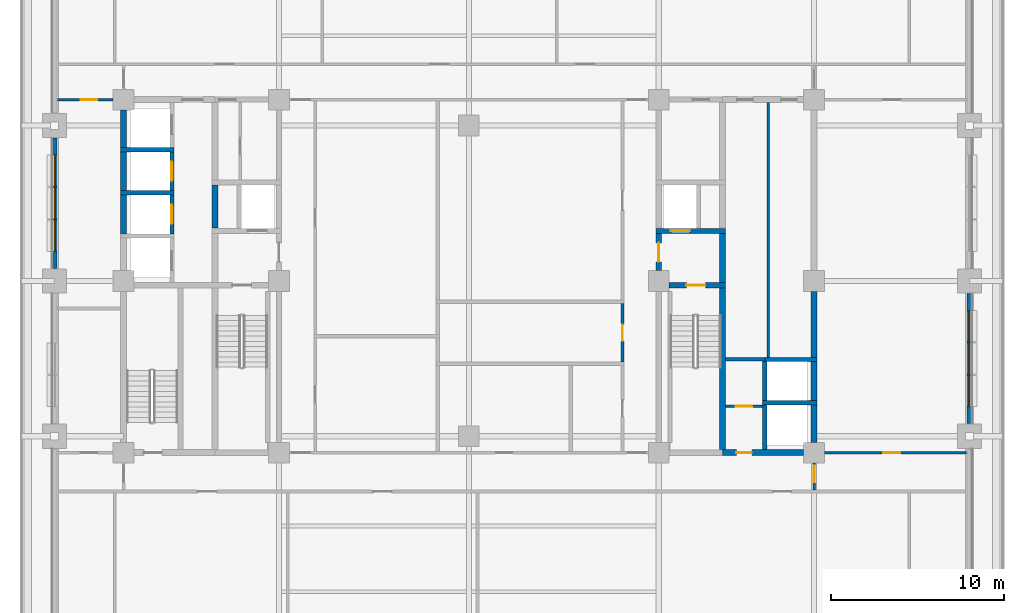
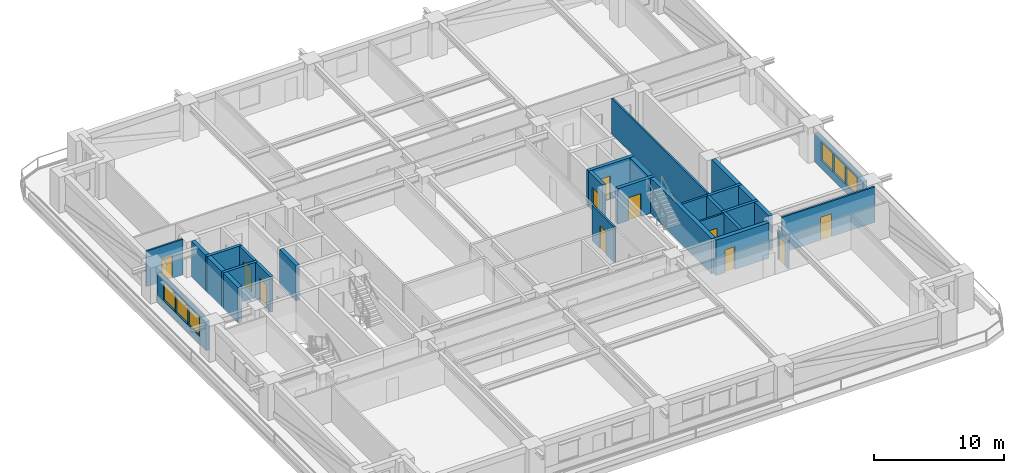
# One storey, part 4 of 13: 30 walls, 11 doors, 6 windows, 17 openings.
"""IFC4 building model written with IfcOpenShell, lengths in metres."""

from ifc_helpers import new_model, si_unit, direction, frame, frame_2d, origin, place, context, subcontext, project, spatial, rectangle, extrude, material, layer, layer_set, type_object, element, fill, save


model = new_model("IFC4")

# Units and contexts
model_context = context("Model", 3, precision=1e-05, world=origin(), true_north=direction((0.0, 1.0)))
body_context = subcontext(model_context, "Body", "Model", "MODEL_VIEW")
ifc_project = project(units=[si_unit("LENGTHUNIT", "METRE"), si_unit("AREAUNIT", "SQUARE_METRE"), si_unit("VOLUMEUNIT", "CUBIC_METRE"), si_unit("PLANEANGLEUNIT", "RADIAN"), si_unit("MASSUNIT", "GRAM", prefix="KILO")], contexts=[model_context])

# Site, building, storey
site_placement = place(None, origin())
site = spatial("IfcSite", under=ifc_project, at=site_placement, CompositionType="ELEMENT")
building_placement = place(site_placement, origin())
building = spatial("IfcBuilding", under=site, at=building_placement, Name="Zulmaris Gate Convention Tower", CompositionType="ELEMENT")
storey_placement = place(building_placement, frame((0.0, 0.0, 34.340087890625)))
storey = spatial("IfcBuildingStorey", under=building, at=storey_placement, Name="L07", CompositionType="ELEMENT", Elevation=34.340087890625)

# Walls
ifc_material_1 = material(Name="Concrete C50/60", Category="concrete")
ifc_layer_1 = layer(ifc_material_1, 0.25, Name="Concrete C50/60")
ifc_layer_set_1 = layer_set([ifc_layer_1], Name="Concrete C50/60")
wall_type_1 = type_object("IfcWallType", Name="CORE-250", PredefinedType="SOLIDWALL", material=ifc_layer_set_1)
for number, where, z_axis, x_axis, name in (
    (1, (17.02490234375, -7.050048828125, 0.0), (0.0, 0.0, 1.0), (1.0, 0.0, 0.0), "WL-L07-005"),
    (2, (17.02490234375, -4.550048828125, 0.0), (0.0, 0.0, 1.0), (1.0, 0.0, 0.0), "WL-L07-006"),
):
    element("IfcWall", number, at=place(storey_placement, frame(where, z_axis=z_axis, x_axis=x_axis)), inside=storey, type_object=wall_type_1, Name=name, PredefinedType="SOLIDWALL", context=body_context, shape_type="SweptSolid", body=[
        extrude(rectangle(XDim=3.150146484375, YDim=0.25, at=frame_2d((1.5751953125, 0.0))), origin(), (0.0, 0.0, 1.0), 3.31982421875),
    ])
for number, where, z_axis, x_axis, name in (
    (3, (-20.175048828125, 5.10009765625, 0.0), (0.0, 0.0, 1.0), (1.0, 0.0, 0.0), "WL-L07-012"),
    (4, (-20.175048828125, 7.60009765625, 0.0), (0.0, 0.0, 1.0), (1.0, 0.0, 0.0), "WL-L07-015"),
):
    element("IfcWall", number, at=place(storey_placement, frame(where, z_axis=z_axis, x_axis=x_axis)), inside=storey, type_object=wall_type_1, Name=name, PredefinedType="SOLIDWALL", context=body_context, shape_type="SweptSolid", body=[
        extrude(rectangle(XDim=3.10009765625, YDim=0.25, at=frame_2d((1.550048828125, 0.0))), origin(), (0.0, 0.0, 1.0), 3.31982421875),
    ])

# Wall, opening, door
wall_1_placement = place(storey_placement, frame((-17.199951171875, 2.72705078125, 0.0), z_axis=(0.0, 0.0, 1.0), x_axis=(0.0, 1.0, 0.0)))
wall_1 = element("IfcWall", 5, at=wall_1_placement, inside=storey, type_object=wall_type_1, Name="WL-L07-040", PredefinedType="SOLIDWALL", context=body_context, shape_type="SweptSolid", body=[
    extrude(rectangle(XDim=2.245849609375, YDim=0.25, at=frame_2d((1.123046875, 0.0))), origin(), (0.0, 0.0, 1.0), 3.31982421875),
])
opening_1_placement = place(wall_1_placement, frame((0.572998046875, 0.0, 0.0)))
opening_1 = element("IfcOpeningElement", 6, at=opening_1_placement, cuts=wall_1, Name="Opening D-06", PredefinedType="OPENING", context=body_context, shape_type="SweptSolid", body=[
    extrude(rectangle(XDim=1.10009765625, YDim=2.199951171875, at=frame_2d((0.550048828125, 1.10009765625))), frame((0.0, 0.135009765625, 0.0), z_axis=(0.0, -1.0, 0.0), x_axis=(1.0, 0.0, 0.0)), (0.0, 0.0, 1.0), 0.27001953125),
])
ifc_material_2 = material(Name="Brushed Stainless Steel", Category="steel")
door_type_1 = type_object("IfcDoorType", Name="LD-1100", OperationType="NOTDEFINED", PredefinedType="DOOR", material=ifc_material_2)
door_1_placement = place(opening_1_placement, origin())
door_1 = element("IfcDoor", 7, at=door_1_placement, inside=storey, type_object=door_type_1, Name="L07 Lift Landing Door LP-02 13", OperationType="SLIDING_TO_LEFT", OverallHeight=2.199951171875, OverallWidth=1.10009765625, PredefinedType="DOOR", context=body_context, shape_type="SweptSolid", body=[
    extrude(rectangle(XDim=1.10009765625, YDim=2.199951171875, at=frame_2d((0.550048828125, 1.10009765625))), frame((0.0, 0.02490234375, 0.0), z_axis=(0.0, -1.0, 0.0), x_axis=(1.0, 0.0, 0.0)), (0.0, 0.0, 1.0), 0.050048828125),
])
fill(opening_1, door_1)

wall_2_placement = place(storey_placement, frame((-17.199951171875, 5.22705078125, 0.0), z_axis=(0.0, 0.0, 1.0), x_axis=(0.0, 1.0, 0.0)))
wall_2 = element("IfcWall", 8, at=wall_2_placement, inside=storey, type_object=wall_type_1, Name="WL-L07-041", PredefinedType="SOLIDWALL", context=body_context, shape_type="SweptSolid", body=[
    extrude(rectangle(XDim=2.245849609375, YDim=0.25, at=frame_2d((1.123046875, 0.0))), origin(), (0.0, 0.0, 1.0), 3.31982421875),
])
opening_2_placement = place(wall_2_placement, frame((0.572998046875, 0.0, 0.0)))
opening_2 = element("IfcOpeningElement", 9, at=opening_2_placement, cuts=wall_2, Name="Opening D-06", PredefinedType="OPENING", context=body_context, shape_type="SweptSolid", body=[
    extrude(rectangle(XDim=1.10009765625, YDim=2.199951171875, at=frame_2d((0.550048828125, 1.10009765625))), frame((0.0, 0.135009765625, 0.0), z_axis=(0.0, -1.0, 0.0), x_axis=(1.0, 0.0, 0.0)), (0.0, 0.0, 1.0), 0.27001953125),
])
door_2_placement = place(opening_2_placement, origin())
door_2 = element("IfcDoor", 10, at=door_2_placement, inside=storey, type_object=door_type_1, Name="L07 Lift Landing Door LP-03 14", OperationType="SLIDING_TO_LEFT", OverallHeight=2.199951171875, OverallWidth=1.10009765625, PredefinedType="DOOR", context=body_context, shape_type="SweptSolid", body=[
    extrude(rectangle(XDim=1.10009765625, YDim=2.199951171875, at=frame_2d((0.550048828125, 1.10009765625))), frame((0.0, 0.02490234375, 0.0), z_axis=(0.0, -1.0, 0.0), x_axis=(1.0, 0.0, 0.0)), (0.0, 0.0, 1.0), 0.050048828125),
])
fill(opening_2, door_2)

# Walls
wall_3_placement = place(storey_placement, frame((17.14990234375, -9.77294921875, 0.0), z_axis=(0.0, 0.0, 1.0), x_axis=(0.0, 1.0, 0.0)))
element("IfcWall", 11, at=wall_3_placement, inside=storey, type_object=wall_type_1, Name="WL-L07-064", PredefinedType="SOLIDWALL", context=body_context, shape_type="SweptSolid", body=[
    extrude(rectangle(XDim=2.595947265625, YDim=0.25, at=frame_2d((1.2978515625, 0.0))), origin(), (0.0, 0.0, 1.0), 3.31982421875),
])
wall_4_placement = place(storey_placement, frame((17.14990234375, -6.923095703125, 0.0), z_axis=(0.0, 0.0, 1.0), x_axis=(0.0, 1.0, 0.0)))
element("IfcWall", 12, at=wall_4_placement, inside=storey, type_object=wall_type_1, Name="WL-L07-065", PredefinedType="SOLIDWALL", context=body_context, shape_type="SweptSolid", body=[
    extrude(rectangle(XDim=2.24609375, YDim=0.25, at=frame_2d((1.123046875, 0.0))), origin(), (0.0, 0.0, 1.0), 3.31982421875),
])

# Wall, opening, door
ifc_layer_2 = layer(ifc_material_1, 0.300048828125, Name="Concrete C50/60")
ifc_layer_set_2 = layer_set([ifc_layer_2], Name="Concrete C50/60")
wall_type_2 = type_object("IfcWallType", Name="CORE-300", PredefinedType="SHEAR", material=ifc_layer_set_2)
wall_5_placement = place(storey_placement, frame((11.60400390625, -0.25, 0.0), z_axis=(0.0, 0.0, 1.0), x_axis=(1.0, 0.0, 0.0)))
wall_5 = element("IfcWall", 13, at=wall_5_placement, inside=storey, type_object=wall_type_2, Name="WL-L07-008", PredefinedType="SHEAR", context=body_context, shape_type="SweptSolid", body=[
    extrude(rectangle(XDim=3.27099609375, YDim=0.300048828125, at=frame_2d((1.635498046875, 0.0))), origin(), (0.0, 0.0, 1.0), 3.31982421875),
])
opening_3_placement = place(wall_5_placement, frame((0.99609375, 0.0, 0.0)))
opening_3 = element("IfcOpeningElement", 14, at=opening_3_placement, cuts=wall_5, Name="Opening D-08", PredefinedType="OPENING", context=body_context, shape_type="SweptSolid", body=[
    extrude(rectangle(XDim=1.10009765625, YDim=2.14990234375, at=frame_2d((0.550048828125, 1.074951171875))), frame((0.0, 0.16015625, 0.0), z_axis=(0.0, -1.0, 0.0), x_axis=(1.0, 0.0, 0.0)), (0.0, 0.0, 1.0), 0.320068359375),
])
ifc_material_3 = material(Name="Fire-Rated Steel", Category="steel")
door_type_2 = type_object("IfcDoorType", Name="DR-1100-FD", OperationType="NOTDEFINED", PredefinedType="DOOR", material=ifc_material_3)
door_3_placement = place(opening_3_placement, origin())
door_3 = element("IfcDoor", 15, at=door_3_placement, inside=storey, type_object=door_type_2, Name="L07 Exit Stair ST-2 Door 04", OperationType="SINGLE_SWING_RIGHT", OverallHeight=2.14990234375, OverallWidth=1.10009765625, PredefinedType="DOOR", context=body_context, shape_type="SweptSolid", body=[
    extrude(rectangle(XDim=1.10009765625, YDim=2.14990234375, at=frame_2d((0.550048828125, 1.074951171875))), frame((0.0, 0.02490234375, 0.0), z_axis=(0.0, -1.0, 0.0), x_axis=(1.0, 0.0, 0.0)), (0.0, 0.0, 1.0), 0.050048828125),
])
fill(opening_3, door_3)

wall_6_placement = place(storey_placement, frame((10.85009765625, 2.89990234375, 0.0), z_axis=(0.0, 0.0, 1.0), x_axis=(1.0, 0.0, 0.0)))
wall_6 = element("IfcWall", 16, at=wall_6_placement, inside=storey, type_object=wall_type_2, Name="WL-L07-011", PredefinedType="SHEAR", context=body_context, shape_type="SweptSolid", body=[
    extrude(rectangle(XDim=4.02490234375, YDim=0.300048828125, at=frame_2d((2.012451171875, 0.0))), origin(), (0.0, 0.0, 1.0), 3.31982421875),
])
opening_4_placement = place(wall_6_placement, frame((0.85009765625, 0.0, 0.0)))
opening_4 = element("IfcOpeningElement", 17, at=opening_4_placement, cuts=wall_6, Name="Opening D-06", PredefinedType="OPENING", context=body_context, shape_type="SweptSolid", body=[
    extrude(rectangle(XDim=1.10009765625, YDim=2.199951171875, at=frame_2d((0.550048828125, 1.10009765625))), frame((0.0, 0.16015625, 0.0), z_axis=(0.0, -1.0, 0.0), x_axis=(1.0, 0.0, 0.0)), (0.0, 0.0, 1.0), 0.320068359375),
])
door_4_placement = place(opening_4_placement, origin())
door_4 = element("IfcDoor", 18, at=door_4_placement, inside=storey, type_object=door_type_1, Name="L07 Lift Landing Door LF-02 06", OperationType="SLIDING_TO_RIGHT", OverallHeight=2.199951171875, OverallWidth=1.10009765625, PredefinedType="DOOR", context=body_context, shape_type="SweptSolid", body=[
    extrude(rectangle(XDim=1.10009765625, YDim=2.199951171875, at=frame_2d((0.550048828125, 1.10009765625))), frame((0.0, 0.02490234375, 0.0), z_axis=(0.0, -1.0, 0.0), x_axis=(1.0, 0.0, 0.0)), (0.0, 0.0, 1.0), 0.050048828125),
])
fill(opening_4, door_4)

wall_7_placement = place(storey_placement, frame((11.0, 0.60400390625, 0.0), z_axis=(0.0, 0.0, 1.0), x_axis=(0.0, 1.0, 0.0)))
wall_7 = element("IfcWall", 19, at=wall_7_placement, inside=storey, type_object=wall_type_2, Name="WL-L07-055", PredefinedType="SHEAR", context=body_context, shape_type="SweptSolid", body=[
    extrude(rectangle(XDim=2.14404296875, YDim=0.300048828125, at=frame_2d((1.072021484375, 0.0))), origin(), (0.0, 0.0, 1.0), 3.31982421875),
])
opening_5_placement = place(wall_7_placement, frame((0.49609375, 0.0, 0.0)))
opening_5 = element("IfcOpeningElement", 20, at=opening_5_placement, cuts=wall_7, Name="Opening D-08", PredefinedType="OPENING", context=body_context, shape_type="SweptSolid", body=[
    extrude(rectangle(XDim=1.10009765625, YDim=2.14990234375, at=frame_2d((0.550048828125, 1.074951171875))), frame((0.0, 0.16015625, 0.0), z_axis=(0.0, -1.0, 0.0), x_axis=(1.0, 0.0, 0.0)), (0.0, 0.0, 1.0), 0.320068359375),
])
door_5_placement = place(opening_5_placement, origin())
door_5 = element("IfcDoor", 21, at=door_5_placement, inside=storey, type_object=door_type_2, Name="L07 East Firefighting Lobby Door 05", OperationType="SINGLE_SWING_LEFT", OverallHeight=2.14990234375, OverallWidth=1.10009765625, PredefinedType="DOOR", context=body_context, shape_type="SweptSolid", body=[
    extrude(rectangle(XDim=1.10009765625, YDim=2.14990234375, at=frame_2d((0.550048828125, 1.074951171875))), frame((0.0, 0.02490234375, 0.0), z_axis=(0.0, -1.0, 0.0), x_axis=(1.0, 0.0, 0.0)), (0.0, 0.0, 1.0), 0.050048828125),
])
fill(opening_5, door_5)

ifc_material_4 = material(Name="Concrete C55/67", Category="concrete")
ifc_layer_3 = layer(ifc_material_4, 0.35009765625, Name="Concrete C55/67")
ifc_layer_set_3 = layer_set([ifc_layer_3], Name="Concrete C55/67")
wall_type_3 = type_object("IfcWallType", Name="CORE-350", PredefinedType="SHEAR", material=ifc_layer_set_3)
wall_8_placement = place(storey_placement, frame((14.699951171875, -9.949951171875, 0.0), z_axis=(0.0, 0.0, 1.0), x_axis=(1.0, 0.0, 0.0)))
wall_8 = element("IfcWall", 22, at=wall_8_placement, inside=storey, type_object=wall_type_3, Name="WL-L07-004", PredefinedType="SHEAR", context=body_context, shape_type="SweptSolid", body=[
    extrude(rectangle(XDim=4.696044921875, YDim=0.35009765625, at=frame_2d((2.34814453125, 0.0))), origin(), (0.0, 0.0, 1.0), 3.31982421875),
])
opening_6_placement = place(wall_8_placement, frame((0.800048828125, 0.0, 0.0)))
opening_6 = element("IfcOpeningElement", 23, at=opening_6_placement, cuts=wall_8, Name="Opening D-12", PredefinedType="OPENING", context=body_context, shape_type="SweptSolid", body=[
    extrude(rectangle(XDim=0.89990234375, YDim=2.14990234375, at=frame_2d((0.449951171875, 1.074951171875))), frame((0.0, 0.18505859375, 0.0), z_axis=(0.0, -1.0, 0.0), x_axis=(1.0, 0.0, 0.0)), (0.0, 0.0, 1.0), 0.3701171875),
])
ifc_material_5 = material(Name="Fire-Rated Timber", Category="wood")
door_type_3 = type_object("IfcDoorType", Name="DR-900-FD", OperationType="NOTDEFINED", PredefinedType="DOOR", material=ifc_material_5)
door_6_placement = place(opening_6_placement, origin())
door_6 = element("IfcDoor", 24, at=door_6_placement, inside=storey, type_object=door_type_3, Name="L07 East Cleaners Store Door 16", OperationType="SINGLE_SWING_LEFT", OverallHeight=2.14990234375, OverallWidth=0.89990234375, PredefinedType="DOOR", context=body_context, shape_type="SweptSolid", body=[
    extrude(rectangle(XDim=0.89990234375, YDim=2.14990234375, at=frame_2d((0.449951171875, 1.074951171875))), frame((0.0, 0.02490234375, 0.0), z_axis=(0.0, -1.0, 0.0), x_axis=(1.0, 0.0, 0.0)), (0.0, 0.0, 1.0), 0.050048828125),
])
fill(opening_6, door_6)

# Walls
for number, where, z_axis, x_axis, name in (
    (25, (-20.0, 2.72705078125, 0.0), (0.0, 0.0, 1.0), (0.0, 1.0, 0.0), "WL-L07-036"),
    (26, (-20.0, 5.22705078125, 0.0), (0.0, 0.0, 1.0), (0.0, 1.0, 0.0), "WL-L07-037"),
):
    element("IfcWall", number, at=place(storey_placement, frame(where, z_axis=z_axis, x_axis=x_axis)), inside=storey, type_object=wall_type_3, Name=name, PredefinedType="SHEAR", context=body_context, shape_type="SweptSolid", body=[
        extrude(rectangle(XDim=2.245849609375, YDim=0.35009765625, at=frame_2d((1.123046875, 0.0))), origin(), (0.0, 0.0, 1.0), 3.31982421875),
    ])
wall_9_placement = place(storey_placement, frame((-20.0, 7.72705078125, 0.0), z_axis=(0.0, 0.0, 1.0), x_axis=(0.0, 1.0, 0.0)))
element("IfcWall", 27, at=wall_9_placement, inside=storey, type_object=wall_type_3, Name="WL-L07-038", PredefinedType="SHEAR", context=body_context, shape_type="SweptSolid", body=[
    extrude(rectangle(XDim=2.1689453125, YDim=0.35009765625, at=frame_2d((1.08447265625, 0.0))), origin(), (0.0, 0.0, 1.0), 3.31982421875),
])
wall_10_placement = place(storey_placement, frame((-14.699951171875, 3.052001953125, 0.0), z_axis=(0.0, 0.0, 1.0), x_axis=(0.0, 1.0, 0.0)))
element("IfcWall", 28, at=wall_10_placement, inside=storey, type_object=wall_type_3, Name="WL-L07-046", PredefinedType="SHEAR", context=body_context, shape_type="SweptSolid", body=[
    extrude(rectangle(XDim=2.49609375, YDim=0.35009765625, at=frame_2d((1.248046875, 0.0))), origin(), (0.0, 0.0, 1.0), 3.31982421875),
])
wall_11_placement = place(storey_placement, frame((14.699951171875, -9.77294921875, 0.0), z_axis=(0.0, 0.0, 1.0), x_axis=(0.0, 1.0, 0.0)))
element("IfcWall", 29, at=wall_11_placement, inside=storey, type_object=wall_type_3, Name="WL-L07-060", PredefinedType="SHEAR", context=body_context, shape_type="SweptSolid", body=[
    extrude(rectangle(XDim=9.370849609375, YDim=0.35009765625, at=frame_2d((4.685546875, 0.0))), origin(), (0.0, 0.0, 1.0), 3.31982421875),
])
wall_12_placement = place(storey_placement, frame((14.699951171875, -0.097900390625, 0.0), z_axis=(0.0, 0.0, 1.0), x_axis=(0.0, 1.0, 0.0)))
element("IfcWall", 30, at=wall_12_placement, inside=storey, type_object=wall_type_3, Name="WL-L07-061", PredefinedType="SHEAR", context=body_context, shape_type="SweptSolid", body=[
    extrude(rectangle(XDim=2.845947265625, YDim=0.35009765625, at=frame_2d((1.4228515625, 0.0))), origin(), (0.0, 0.0, 1.0), 3.31982421875),
])
wall_13_placement = place(storey_placement, frame((20.0, -9.345947265625, 0.0), z_axis=(0.0, 0.0, 1.0), x_axis=(0.0, 1.0, 0.0)))
element("IfcWall", 31, at=wall_13_placement, inside=storey, type_object=wall_type_3, Name="WL-L07-066", PredefinedType="SHEAR", context=body_context, shape_type="SweptSolid", body=[
    extrude(rectangle(XDim=2.1689453125, YDim=0.35009765625, at=frame_2d((1.08447265625, 0.0))), origin(), (0.0, 0.0, 1.0), 3.31982421875),
])
wall_14_placement = place(storey_placement, frame((20.0, -6.923095703125, 0.0), z_axis=(0.0, 0.0, 1.0), x_axis=(0.0, 1.0, 0.0)))
element("IfcWall", 32, at=wall_14_placement, inside=storey, type_object=wall_type_3, Name="WL-L07-067", PredefinedType="SHEAR", context=body_context, shape_type="SweptSolid", body=[
    extrude(rectangle(XDim=2.24609375, YDim=0.35009765625, at=frame_2d((1.123046875, 0.0))), origin(), (0.0, 0.0, 1.0), 3.31982421875),
])
wall_15_placement = place(storey_placement, frame((20.0, -4.423095703125, 0.0), z_axis=(0.0, 0.0, 1.0), x_axis=(0.0, 1.0, 0.0)))
element("IfcWall", 33, at=wall_15_placement, inside=storey, type_object=wall_type_3, Name="WL-L07-068", PredefinedType="SHEAR", context=body_context, shape_type="SweptSolid", body=[
    extrude(rectangle(XDim=3.819091796875, YDim=0.35009765625, at=frame_2d((1.90966796875, 0.0))), origin(), (0.0, 0.0, 1.0), 3.31982421875),
])

# Wall, opening, door
ifc_material_6 = material(Name="Gypsum Metal Stud Partition")
ifc_layer_4 = layer(ifc_material_6, 0.14990234375, Name="Gypsum Metal Stud Partition")
ifc_layer_set_4 = layer_set([ifc_layer_4], Name="Gypsum Metal Stud Partition")
wall_type_4 = type_object("IfcWallType", Name="PART-150", PredefinedType="PARTITIONING", material=ifc_layer_set_4)
wall_16_placement = place(storey_placement, frame((20.60595703125, -9.949951171875, 0.0), z_axis=(0.0, 0.0, 1.0), x_axis=(1.0, 0.0, 0.0)))
wall_16 = element("IfcWall", 34, at=wall_16_placement, inside=storey, type_object=wall_type_4, Name="WL-L07-023", PredefinedType="PARTITIONING", context=body_context, shape_type="SweptSolid", body=[
    extrude(rectangle(XDim=8.22900390625, YDim=0.14990234375, at=frame_2d((4.114501953125, 0.0))), origin(), (0.0, 0.0, 1.0), 3.31982421875),
])
opening_7_placement = place(wall_16_placement, frame((3.39404296875, 0.0, 0.0)))
opening_7 = element("IfcOpeningElement", 35, at=opening_7_placement, cuts=wall_16, Name="Opening D-10", PredefinedType="OPENING", context=body_context, shape_type="SweptSolid", body=[
    extrude(rectangle(XDim=1.0, YDim=2.14990234375, at=frame_2d((0.5, 1.074951171875))), frame((0.0, 0.0849609375, 0.0), z_axis=(0.0, -1.0, 0.0), x_axis=(1.0, 0.0, 0.0)), (0.0, 0.0, 1.0), 0.169921875),
])
door_type_4 = type_object("IfcDoorType", Name="DR-1000-FD", OperationType="NOTDEFINED", PredefinedType="DOOR", material=ifc_material_5)
door_7_placement = place(opening_7_placement, origin())
door_7 = element("IfcDoor", 36, at=door_7_placement, inside=storey, type_object=door_type_4, Name="L07 East Workplace South Door 43", OperationType="SINGLE_SWING_RIGHT", OverallHeight=2.14990234375, OverallWidth=1.0, PredefinedType="DOOR", context=body_context, shape_type="SweptSolid", body=[
    extrude(rectangle(XDim=1.0, YDim=2.14990234375, at=frame_2d((0.5, 1.074951171875))), frame((0.0, 0.02490234375, 0.0), z_axis=(0.0, -1.0, 0.0), x_axis=(1.0, 0.0, 0.0)), (0.0, 0.0, 1.0), 0.050048828125),
])
fill(opening_7, door_7)

wall_17_placement = place(storey_placement, frame((14.8779296875, -7.25, 0.0), z_axis=(0.0, 0.0, 1.0), x_axis=(1.0, 0.0, 0.0)))
wall_17 = element("IfcWall", 37, at=wall_17_placement, inside=storey, type_object=wall_type_4, Name="WL-L07-024", PredefinedType="PARTITIONING", context=body_context, shape_type="SweptSolid", body=[
    extrude(rectangle(XDim=2.14404296875, YDim=0.14990234375, at=frame_2d((1.072021484375, 0.0))), origin(), (0.0, 0.0, 1.0), 3.31982421875),
])
opening_8_placement = place(wall_17_placement, frame((0.596923828125, 0.0, 0.0)))
opening_8 = element("IfcOpeningElement", 38, at=opening_8_placement, cuts=wall_17, Name="Opening D-11", PredefinedType="OPENING", context=body_context, shape_type="SweptSolid", body=[
    extrude(rectangle(XDim=0.949951171875, YDim=2.14990234375, at=frame_2d((0.47509765625, 1.074951171875))), frame((0.0, 0.0849609375, 0.0), z_axis=(0.0, -1.0, 0.0), x_axis=(1.0, 0.0, 0.0)), (0.0, 0.0, 1.0), 0.169921875),
])
door_type_5 = type_object("IfcDoorType", Name="DR-950-FD", OperationType="NOTDEFINED", PredefinedType="DOOR", material=ifc_material_5)
door_8_placement = place(opening_8_placement, origin())
door_8 = element("IfcDoor", 39, at=door_8_placement, inside=storey, type_object=door_type_5, Name="L07 East Meter Store Door 17", OperationType="SINGLE_SWING_RIGHT", OverallHeight=2.14990234375, OverallWidth=0.949951171875, PredefinedType="DOOR", context=body_context, shape_type="SweptSolid", body=[
    extrude(rectangle(XDim=0.949951171875, YDim=2.14990234375, at=frame_2d((0.47509765625, 1.074951171875))), frame((0.0, 0.02490234375, 0.0), z_axis=(0.0, -1.0, 0.0), x_axis=(1.0, 0.0, 0.0)), (0.0, 0.0, 1.0), 0.050048828125),
])
fill(opening_8, door_8)

wall_18_placement = place(storey_placement, frame((-23.8349609375, 10.5, 0.0), z_axis=(0.0, 0.0, 1.0), x_axis=(1.0, 0.0, 0.0)))
wall_18 = element("IfcWall", 40, at=wall_18_placement, inside=storey, type_object=wall_type_4, Name="WL-L07-030", PredefinedType="PARTITIONING", context=body_context, shape_type="SweptSolid", body=[
    extrude(rectangle(XDim=3.22900390625, YDim=0.14990234375, at=frame_2d((1.614501953125, 0.0))), origin(), (0.0, 0.0, 1.0), 3.31982421875),
])
opening_9_placement = place(wall_18_placement, frame((1.360107421875, 0.0, 0.0)))
opening_9 = element("IfcOpeningElement", 41, at=opening_9_placement, cuts=wall_18, Name="Opening D-11", PredefinedType="OPENING", context=body_context, shape_type="SweptSolid", body=[
    extrude(rectangle(XDim=0.949951171875, YDim=2.14990234375, at=frame_2d((0.47509765625, 1.074951171875))), frame((0.0, 0.0849609375, 0.0), z_axis=(0.0, -1.0, 0.0), x_axis=(1.0, 0.0, 0.0)), (0.0, 0.0, 1.0), 0.169921875),
])
door_9_placement = place(opening_9_placement, origin())
door_9 = element("IfcDoor", 42, at=door_9_placement, inside=storey, type_object=door_type_5, Name="L07 NW Partner Door 38", OperationType="SINGLE_SWING_LEFT", OverallHeight=2.14990234375, OverallWidth=0.949951171875, PredefinedType="DOOR", context=body_context, shape_type="SweptSolid", body=[
    extrude(rectangle(XDim=0.949951171875, YDim=2.14990234375, at=frame_2d((0.47509765625, 1.074951171875))), frame((0.0, 0.02490234375, 0.0), z_axis=(0.0, -1.0, 0.0), x_axis=(1.0, 0.0, 0.0)), (0.0, 0.0, 1.0), 0.050048828125),
])
fill(opening_9, door_9)

wall_19_placement = place(storey_placement, frame((8.89990234375, -4.697021484375, 0.0), z_axis=(0.0, 0.0, 1.0), x_axis=(0.0, 1.0, 0.0)))
wall_19 = element("IfcWall", 43, at=wall_19_placement, inside=storey, type_object=wall_type_4, Name="WL-L07-086", PredefinedType="PARTITIONING", context=body_context, shape_type="SweptSolid", body=[
    extrude(rectangle(XDim=3.39404296875, YDim=0.14990234375, at=frame_2d((1.697021484375, 0.0))), origin(), (0.0, 0.0, 1.0), 3.31982421875),
])
opening_10_placement = place(wall_19_placement, frame((1.221923828125, 0.0, 0.0)))
opening_10 = element("IfcOpeningElement", 44, at=opening_10_placement, cuts=wall_19, Name="Opening D-11", PredefinedType="OPENING", context=body_context, shape_type="SweptSolid", body=[
    extrude(rectangle(XDim=0.949951171875, YDim=2.14990234375, at=frame_2d((0.47509765625, 1.074951171875))), frame((0.0, 0.0849609375, 0.0), z_axis=(0.0, -1.0, 0.0), x_axis=(1.0, 0.0, 0.0)), (0.0, 0.0, 1.0), 0.169921875),
])
door_10_placement = place(opening_10_placement, origin())
door_10 = element("IfcDoor", 45, at=door_10_placement, inside=storey, type_object=door_type_5, Name="L07 Public WC Door 33", OperationType="SINGLE_SWING_RIGHT", OverallHeight=2.14990234375, OverallWidth=0.949951171875, PredefinedType="DOOR", context=body_context, shape_type="SweptSolid", body=[
    extrude(rectangle(XDim=0.949951171875, YDim=2.14990234375, at=frame_2d((0.47509765625, 1.074951171875))), frame((0.0, 0.02490234375, 0.0), z_axis=(0.0, -1.0, 0.0), x_axis=(1.0, 0.0, 0.0)), (0.0, 0.0, 1.0), 0.050048828125),
])
fill(opening_10, door_10)

# Wall
wall_20_placement = place(storey_placement, frame((17.35009765625, -4.422119140625, 0.0), z_axis=(0.0, 0.0, 1.0), x_axis=(0.0, 1.0, 0.0)))
element("IfcWall", 46, at=wall_20_placement, inside=storey, type_object=wall_type_4, Name="WL-L07-088", PredefinedType="PARTITIONING", context=body_context, shape_type="SweptSolid", body=[
    extrude(rectangle(XDim=14.744140625, YDim=0.14990234375, at=frame_2d((7.3720703125, 0.0))), origin(), (0.0, 0.0, 1.0), 3.31982421875),
])

# Wall, opening, door
wall_21_placement = place(storey_placement, frame((20.0, -12.1220703125, 0.0), z_axis=(0.0, 0.0, 1.0), x_axis=(0.0, 1.0, 0.0)))
wall_21 = element("IfcWall", 47, at=wall_21_placement, inside=storey, type_object=wall_type_4, Name="WL-L07-089", PredefinedType="PARTITIONING", context=body_context, shape_type="SweptSolid", body=[
    extrude(rectangle(XDim=1.566162109375, YDim=0.14990234375, at=frame_2d((0.783203125, 0.0))), origin(), (0.0, 0.0, 1.0), 2.659912109375),
])
opening_11_placement = place(wall_21_placement, frame((0.466064453125, 0.0, 0.0)))
opening_11 = element("IfcOpeningElement", 48, at=opening_11_placement, cuts=wall_21, Name="Opening D-11", PredefinedType="OPENING", context=body_context, shape_type="SweptSolid", body=[
    extrude(rectangle(XDim=0.949951171875, YDim=2.14990234375, at=frame_2d((0.47509765625, 1.074951171875))), frame((0.0, 0.0849609375, 0.0), z_axis=(0.0, -1.0, 0.0), x_axis=(1.0, 0.0, 0.0)), (0.0, 0.0, 1.0), 0.169921875),
])
door_11_placement = place(opening_11_placement, origin())
door_11 = element("IfcDoor", 49, at=door_11_placement, inside=storey, type_object=door_type_5, Name="L07 SE Spur Door 41", OperationType="SINGLE_SWING_RIGHT", OverallHeight=2.14990234375, OverallWidth=0.949951171875, PredefinedType="DOOR", context=body_context, shape_type="SweptSolid", body=[
    extrude(rectangle(XDim=0.949951171875, YDim=2.14990234375, at=frame_2d((0.47509765625, 1.074951171875))), frame((0.0, 0.02490234375, 0.0), z_axis=(0.0, -1.0, 0.0), x_axis=(1.0, 0.0, 0.0)), (0.0, 0.0, 1.0), 0.050048828125),
])
fill(opening_11, door_11)

# Wall
ifc_material_7 = material(Name="Autoclaved Aerated Concrete Block and Plasterboard", Category="concrete")
ifc_layer_5 = layer(ifc_material_7, 0.199951171875, Name="Autoclaved Aerated Concrete Block and Plasterboard")
ifc_layer_set_5 = layer_set([ifc_layer_5], Name="Autoclaved Aerated Concrete Block and Plasterboard")
wall_type_5 = type_object("IfcWallType", Name="PART-200", PredefinedType="PARTITIONING", material=ifc_layer_set_5)
wall_22_placement = place(storey_placement, frame((14.8779296875, -4.550048828125, 0.0), z_axis=(0.0, 0.0, 1.0), x_axis=(1.0, 0.0, 0.0)))
element("IfcWall", 50, at=wall_22_placement, inside=storey, type_object=wall_type_5, Name="WL-L07-026", PredefinedType="PARTITIONING", context=body_context, shape_type="SweptSolid", body=[
    extrude(rectangle(XDim=2.27197265625, YDim=0.199951171875, at=frame_2d((1.135986328125, 0.0))), origin(), (0.0, 0.0, 1.0), 3.31982421875),
])

# Wall, openings, windows
ifc_material_8 = material(Name="Precast concrete C40/50", Category="concrete")
ifc_layer_6 = layer(ifc_material_8, 0.300048828125, Name="Precast concrete C40/50")
ifc_layer_set_6 = layer_set([ifc_layer_6], Name="Precast concrete C40/50")
wall_type_6 = type_object("IfcWallType", Name="PRECAST-PIER-300", PredefinedType="STANDARD", material=ifc_layer_set_6)
wall_23_placement = place(storey_placement, frame((29.0, -8.27001953125, 0.0), z_axis=(0.0, 0.0, 1.0), x_axis=(0.0, 1.0, 0.0)))
wall_23 = element("IfcWall", 51, at=wall_23_placement, inside=storey, type_object=wall_type_6, Name="EW-L07-E-1_0", PredefinedType="STANDARD", context=body_context, shape_type="SweptSolid", body=[
    extrude(rectangle(XDim=7.5400390625, YDim=0.300048828125, at=frame_2d((3.77001953125, 0.0))), origin(), (0.0, 0.0, 1.0), 2.7119140625),
])
opening_12_placement = place(wall_23_placement, frame((0.985107421875, 0.0, 0.780029296875)))
opening_12 = element("IfcOpeningElement", 52, at=opening_12_placement, cuts=wall_23, Name="Opening W-02", PredefinedType="OPENING", context=body_context, shape_type="SweptSolid", body=[
    extrude(rectangle(XDim=1.800048828125, YDim=1.719970703125, at=frame_2d((0.89990234375, 0.85986328125))), frame((0.0, 0.16015625, 0.0), z_axis=(0.0, -1.0, 0.0), x_axis=(1.0, 0.0, 0.0)), (0.0, 0.0, 1.0), 0.320068359375),
])
opening_13_placement = place(wall_23_placement, frame((2.8701171875, 0.0, 0.780029296875)))
opening_13 = element("IfcOpeningElement", 53, at=opening_13_placement, cuts=wall_23, Name="Opening W-02", PredefinedType="OPENING", context=body_context, shape_type="SweptSolid", body=[
    extrude(rectangle(XDim=1.800048828125, YDim=1.719970703125, at=frame_2d((0.89990234375, 0.85986328125))), frame((0.0, 0.16015625, 0.0), z_axis=(0.0, -1.0, 0.0), x_axis=(1.0, 0.0, 0.0)), (0.0, 0.0, 1.0), 0.320068359375),
])
opening_14_placement = place(wall_23_placement, frame((4.7548828125, 0.0, 0.780029296875)))
opening_14 = element("IfcOpeningElement", 54, at=opening_14_placement, cuts=wall_23, Name="Opening W-02", PredefinedType="OPENING", context=body_context, shape_type="SweptSolid", body=[
    extrude(rectangle(XDim=1.800048828125, YDim=1.719970703125, at=frame_2d((0.89990234375, 0.85986328125))), frame((0.0, 0.16015625, 0.0), z_axis=(0.0, -1.0, 0.0), x_axis=(1.0, 0.0, 0.0)), (0.0, 0.0, 1.0), 0.320068359375),
])
ifc_material_9 = material(Name="Low-E Laminated Double Glazing in Aluminium Frame", Category="aluminium")
window_type = type_object("IfcWindowType", Name="WIN-1800x2200", PartitioningType="SINGLE_PANEL", PredefinedType="WINDOW", material=ifc_material_9)
window_1_placement = place(opening_12_placement, origin())
window_1 = element("IfcWindow", 55, at=window_1_placement, inside=storey, type_object=window_type, Name="WN-EW-L07-E-1_0-1", OverallHeight=1.719970703125, OverallWidth=1.800048828125, PartitioningType="SINGLE_PANEL", PredefinedType="WINDOW", context=body_context, shape_type="SweptSolid", body=[
    extrude(rectangle(XDim=1.800048828125, YDim=1.719970703125, at=frame_2d((0.89990234375, 0.85986328125))), frame((0.0, 0.030029296875, 0.0), z_axis=(0.0, -1.0, 0.0), x_axis=(1.0, 0.0, 0.0)), (0.0, 0.0, 1.0), 0.06005859375),
])
fill(opening_12, window_1)
window_2_placement = place(opening_13_placement, origin())
window_2 = element("IfcWindow", 56, at=window_2_placement, inside=storey, type_object=window_type, Name="WN-EW-L07-E-1_0-2", OverallHeight=1.719970703125, OverallWidth=1.800048828125, PartitioningType="SINGLE_PANEL", PredefinedType="WINDOW", context=body_context, shape_type="SweptSolid", body=[
    extrude(rectangle(XDim=1.800048828125, YDim=1.719970703125, at=frame_2d((0.89990234375, 0.85986328125))), frame((0.0, 0.030029296875, 0.0), z_axis=(0.0, -1.0, 0.0), x_axis=(1.0, 0.0, 0.0)), (0.0, 0.0, 1.0), 0.06005859375),
])
fill(opening_13, window_2)
window_3_placement = place(opening_14_placement, origin())
window_3 = element("IfcWindow", 57, at=window_3_placement, inside=storey, type_object=window_type, Name="WN-EW-L07-E-1_0-3", OverallHeight=1.719970703125, OverallWidth=1.800048828125, PartitioningType="SINGLE_PANEL", PredefinedType="WINDOW", context=body_context, shape_type="SweptSolid", body=[
    extrude(rectangle(XDim=1.800048828125, YDim=1.719970703125, at=frame_2d((0.89990234375, 0.85986328125))), frame((0.0, 0.030029296875, 0.0), z_axis=(0.0, -1.0, 0.0), x_axis=(1.0, 0.0, 0.0)), (0.0, 0.0, 1.0), 0.06005859375),
])
fill(opening_14, window_3)

wall_24_placement = place(storey_placement, frame((-24.0, 8.27001953125, 0.0), z_axis=(0.0, 0.0, 1.0), x_axis=(0.0, -1.0, 0.0)))
wall_24 = element("IfcWall", 58, at=wall_24_placement, inside=storey, type_object=wall_type_6, Name="EW-L07-W-2_0", PredefinedType="STANDARD", context=body_context, shape_type="SweptSolid", body=[
    extrude(rectangle(XDim=7.5400390625, YDim=0.300048828125, at=frame_2d((3.77001953125, 0.0))), origin(), (0.0, 0.0, 1.0), 2.7119140625),
])
opening_15_placement = place(wall_24_placement, frame((0.985107421875, 0.0, 0.780029296875)))
opening_15 = element("IfcOpeningElement", 59, at=opening_15_placement, cuts=wall_24, Name="Opening W-02", PredefinedType="OPENING", context=body_context, shape_type="SweptSolid", body=[
    extrude(rectangle(XDim=1.800048828125, YDim=1.719970703125, at=frame_2d((0.89990234375, 0.85986328125))), frame((0.0, 0.16015625, 0.0), z_axis=(0.0, -1.0, 0.0), x_axis=(1.0, 0.0, 0.0)), (0.0, 0.0, 1.0), 0.320068359375),
])
opening_16_placement = place(wall_24_placement, frame((2.8701171875, 0.0, 0.780029296875)))
opening_16 = element("IfcOpeningElement", 60, at=opening_16_placement, cuts=wall_24, Name="Opening W-02", PredefinedType="OPENING", context=body_context, shape_type="SweptSolid", body=[
    extrude(rectangle(XDim=1.800048828125, YDim=1.719970703125, at=frame_2d((0.89990234375, 0.85986328125))), frame((0.0, 0.16015625, 0.0), z_axis=(0.0, -1.0, 0.0), x_axis=(1.0, 0.0, 0.0)), (0.0, 0.0, 1.0), 0.320068359375),
])
opening_17_placement = place(wall_24_placement, frame((4.7548828125, 0.0, 0.780029296875)))
opening_17 = element("IfcOpeningElement", 61, at=opening_17_placement, cuts=wall_24, Name="Opening W-02", PredefinedType="OPENING", context=body_context, shape_type="SweptSolid", body=[
    extrude(rectangle(XDim=1.800048828125, YDim=1.719970703125, at=frame_2d((0.89990234375, 0.85986328125))), frame((0.0, 0.16015625, 0.0), z_axis=(0.0, -1.0, 0.0), x_axis=(1.0, 0.0, 0.0)), (0.0, 0.0, 1.0), 0.320068359375),
])
window_4_placement = place(opening_15_placement, origin())
window_4 = element("IfcWindow", 62, at=window_4_placement, inside=storey, type_object=window_type, Name="WN-EW-L07-W-2_0-1", OverallHeight=1.719970703125, OverallWidth=1.800048828125, PartitioningType="SINGLE_PANEL", PredefinedType="WINDOW", context=body_context, shape_type="SweptSolid", body=[
    extrude(rectangle(XDim=1.800048828125, YDim=1.719970703125, at=frame_2d((0.89990234375, 0.85986328125))), frame((0.0, 0.030029296875, 0.0), z_axis=(0.0, -1.0, 0.0), x_axis=(1.0, 0.0, 0.0)), (0.0, 0.0, 1.0), 0.06005859375),
])
fill(opening_15, window_4)
window_5_placement = place(opening_16_placement, origin())
window_5 = element("IfcWindow", 63, at=window_5_placement, inside=storey, type_object=window_type, Name="WN-EW-L07-W-2_0-2", OverallHeight=1.719970703125, OverallWidth=1.800048828125, PartitioningType="SINGLE_PANEL", PredefinedType="WINDOW", context=body_context, shape_type="SweptSolid", body=[
    extrude(rectangle(XDim=1.800048828125, YDim=1.719970703125, at=frame_2d((0.89990234375, 0.85986328125))), frame((0.0, 0.030029296875, 0.0), z_axis=(0.0, -1.0, 0.0), x_axis=(1.0, 0.0, 0.0)), (0.0, 0.0, 1.0), 0.06005859375),
])
fill(opening_16, window_5)
window_6_placement = place(opening_17_placement, origin())
window_6 = element("IfcWindow", 64, at=window_6_placement, inside=storey, type_object=window_type, Name="WN-EW-L07-W-2_0-3", OverallHeight=1.719970703125, OverallWidth=1.800048828125, PartitioningType="SINGLE_PANEL", PredefinedType="WINDOW", context=body_context, shape_type="SweptSolid", body=[
    extrude(rectangle(XDim=1.800048828125, YDim=1.719970703125, at=frame_2d((0.89990234375, 0.85986328125))), frame((0.0, 0.030029296875, 0.0), z_axis=(0.0, -1.0, 0.0), x_axis=(1.0, 0.0, 0.0)), (0.0, 0.0, 1.0), 0.06005859375),
])
fill(opening_17, window_6)

save(model, "model.ifc")
